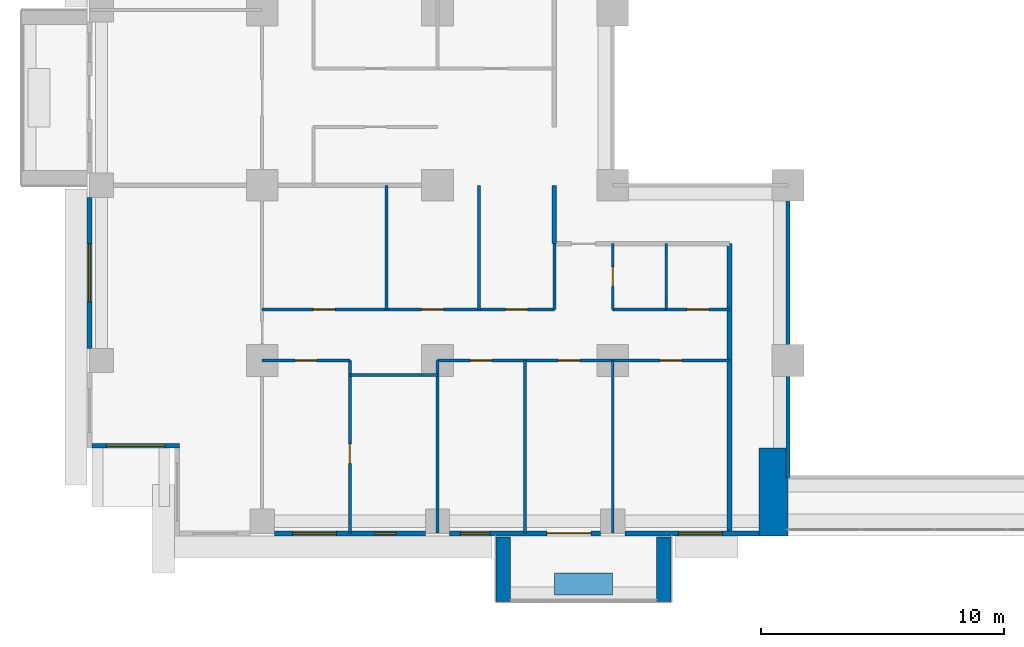
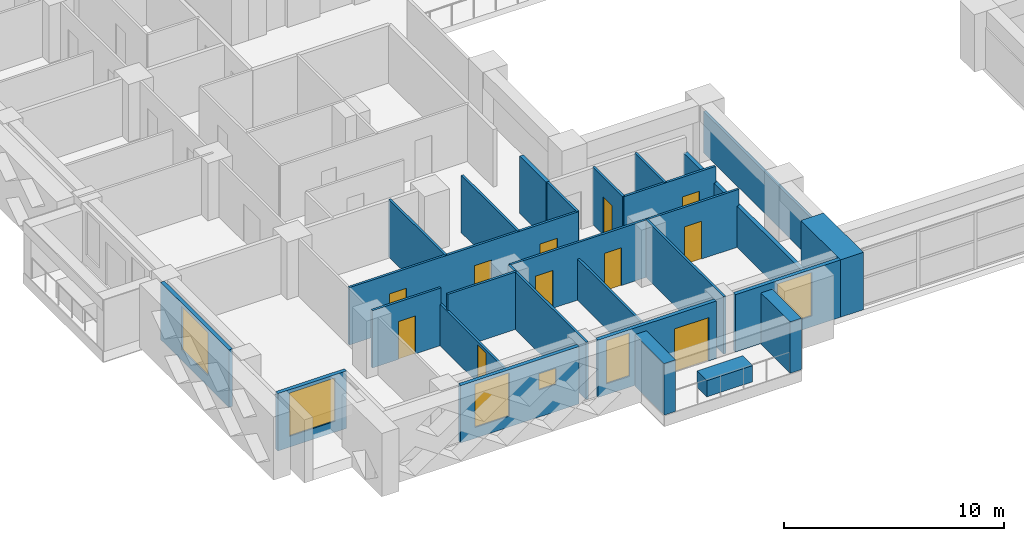
# One storey, part 6 of 17: 26 walls, 11 doors, 6 windows, 17 openings.
"""IFC4 building model written with IfcOpenShell, lengths in metres."""

from ifc_helpers import new_model, si_unit, direction, frame, frame_2d, origin, place, context, subcontext, project, spatial, rectangle, extrude, material, layer, layer_set, type_object, element, fill, save


model = new_model("IFC4")

# Units and contexts
model_context = context("Model", 3, precision=1e-05, world=origin(), true_north=direction((0.0, 1.0)))
body_context = subcontext(model_context, "Body", "Model", "MODEL_VIEW")
ifc_project = project(units=[si_unit("LENGTHUNIT", "METRE"), si_unit("AREAUNIT", "SQUARE_METRE"), si_unit("VOLUMEUNIT", "CUBIC_METRE"), si_unit("PLANEANGLEUNIT", "RADIAN"), si_unit("MASSUNIT", "GRAM", prefix="KILO")], contexts=[model_context])

# Site, building, storey
site_placement = place(None, origin())
site = spatial("IfcSite", under=ifc_project, at=site_placement, CompositionType="ELEMENT")
building_placement = place(site_placement, origin())
building = spatial("IfcBuilding", under=site, at=building_placement, Name="Saffron Iwan Residences", CompositionType="ELEMENT")
storey_placement = place(building_placement, frame((0.0, 0.0, 79.5)))
storey = spatial("IfcBuildingStorey", under=building, at=storey_placement, Name="L20", CompositionType="ELEMENT", Elevation=79.5)

# Walls
ifc_material_1 = material(Name="Fire-rated glazing", Category="glass")
ifc_layer_1 = layer(ifc_material_1, 0.14990234375)
ifc_layer_set_1 = layer_set([ifc_layer_1], Name="Fire-rated glazing")
wall_type_1 = type_object("IfcWallType", Name="Atrium glazed screen 150", PredefinedType="SOLIDWALL", material=ifc_layer_set_1)
wall_1_placement = place(storey_placement, frame((43.199951171875, 36.0, 0.0), z_axis=(0.0, 0.0, 1.0), x_axis=(0.0, 1.0, 0.0)))
element("IfcWall", 1, at=wall_1_placement, inside=storey, type_object=wall_type_1, Name="W-L20-SCREEN-v43.2-36", PredefinedType="SOLIDWALL", context=body_context, shape_type="SweptSolid", body=[
    extrude(rectangle(XDim=12.0, YDim=0.14990234375, at=frame_2d((6.0, 0.0))), origin(), (0.0, 0.0, 1.0), 2.280029296875),
])
ifc_material_2 = material(Name="Concrete C50/60 white painted", Category="concrete")
ifc_layer_2 = layer(ifc_material_2, 0.60009765625)
ifc_layer_set_2 = layer_set([ifc_layer_2], Name="Concrete C50/60 white painted")
wall_type_2 = type_object("IfcWallType", Name="BALCONY FIN 600", PredefinedType="SOLIDWALL", material=ifc_layer_set_2)
for number, where, z_axis, x_axis, name in (
    (2, (31.5, 33.550048828125, 0.0), (0.0, 0.0, 1.0), (0.0, -1.0, 0.0), "Balcony fin L20 11-0a"),
    (3, (38.10009765625, 33.550048828125, 0.0), (0.0, 0.0, 1.0), (0.0, -1.0, 0.0), "Balcony fin L20 11-0b"),
):
    element("IfcWall", number, at=place(storey_placement, frame(where, z_axis=z_axis, x_axis=x_axis)), inside=storey, type_object=wall_type_2, Name=name, PredefinedType="SOLIDWALL", context=body_context, shape_type="SweptSolid", body=[
        extrude(rectangle(XDim=2.650146484375, YDim=0.60009765625, at=frame_2d((1.3251953125, 0.0))), origin(), (0.0, 0.0, 1.0), 2.85009765625),
    ])
ifc_material_3 = material(Name="Concrete C35/45 white painted", Category="concrete")
ifc_layer_3 = layer(ifc_material_3, 0.14990234375)
ifc_layer_set_3 = layer_set([ifc_layer_3], Name="Concrete C35/45 white painted")
wall_type_3 = type_object("IfcWallType", Name="BALCONY PLANTER", PredefinedType="SOLIDWALL", material=ifc_layer_set_3)
wall_2_placement = place(storey_placement, frame((33.60009765625, 31.625, 0.0), z_axis=(0.0, 0.0, 1.0), x_axis=(1.0, 0.0, 0.0)))
element("IfcWall", 4, at=wall_2_placement, inside=storey, type_object=wall_type_3, Name="PLANTER L20 11-0", PredefinedType="SOLIDWALL", context=body_context, shape_type="SweptSolid", body=[
    extrude(rectangle(XDim=2.39990234375, YDim=0.89990234375, at=frame_2d((1.199951171875, 0.0))), origin(), (0.0, 0.0, 1.0), 0.89990234375),
])

# Wall, opening, window
ifc_material_4 = material(Name="Concrete C40/50", Category="concrete")
ifc_layer_4 = layer(ifc_material_4, 0.199951171875)
ifc_layer_set_4 = layer_set([ifc_layer_4], Name="Concrete C40/50")
wall_type_4 = type_object("IfcWallType", Name="EXTERNAL WALL 200", PredefinedType="SOLIDWALL", material=ifc_layer_set_4)
wall_3_placement = place(storey_placement, frame((14.5, 47.5, 0.0), z_axis=(0.0, 0.0, 1.0), x_axis=(0.0, -1.0, 0.0)))
wall_3 = element("IfcWall", 5, at=wall_3_placement, inside=storey, type_object=wall_type_4, Name="External wall L20 F8.4", PredefinedType="SOLIDWALL", context=body_context, shape_type="SweptSolid", body=[
    extrude(rectangle(XDim=6.199951171875, YDim=0.199951171875, at=frame_2d((3.10009765625, 0.0))), origin(), (0.0, 0.0, 1.0), 3.179931640625),
])
opening_1_placement = place(wall_3_placement, frame((1.89990234375, 0.0, 0.60009765625)))
opening_1 = element("IfcOpeningElement", 6, at=opening_1_placement, cuts=wall_3, Name="Opening W1", PredefinedType="OPENING", context=body_context, shape_type="SweptSolid", body=[
    extrude(rectangle(XDim=2.39990234375, YDim=2.39990234375, at=frame_2d((1.199951171875, 1.199951171875))), frame((0.0, 0.10986328125, 0.0), z_axis=(0.0, -1.0, 0.0), x_axis=(1.0, 0.0, 0.0)), (0.0, 0.0, 1.0), 0.219970703125),
])
ifc_material_5 = material(Name="Clear glass, laminated double glazed", Category="glass")
window_type_1 = type_object("IfcWindowType", Name="WINDOW 2400 x 2400", PartitioningType="DOUBLE_PANEL_VERTICAL", PredefinedType="WINDOW", material=ifc_material_5)
window_1_placement = place(opening_1_placement, origin())
window_1 = element("IfcWindow", 7, at=window_1_placement, inside=storey, type_object=window_type_1, Name="Window L20 F8.0", OverallHeight=2.39990234375, OverallWidth=2.39990234375, PartitioningType="DOUBLE_PANEL_VERTICAL", PredefinedType="WINDOW", context=body_context, shape_type="SweptSolid", body=[
    extrude(rectangle(XDim=2.39990234375, YDim=2.39990234375, at=frame_2d((1.199951171875, 1.199951171875))), frame((0.0, 0.030029296875, 0.0), z_axis=(0.0, -1.0, 0.0), x_axis=(1.0, 0.0, 0.0)), (0.0, 0.0, 1.0), 0.06005859375),
])
fill(opening_1, window_1)

wall_4_placement = place(storey_placement, frame((14.60009765625, 37.300048828125, 0.0), z_axis=(0.0, 0.0, 1.0), x_axis=(1.0, 0.0, 0.0)))
wall_4 = element("IfcWall", 8, at=wall_4_placement, inside=storey, type_object=wall_type_4, Name="External wall L20 F9.0", PredefinedType="SOLIDWALL", context=body_context, shape_type="SweptSolid", body=[
    extrude(rectangle(XDim=3.599853515625, YDim=0.199951171875, at=frame_2d((1.7998046875, 0.0))), origin(), (0.0, 0.0, 1.0), 3.179931640625),
])
opening_2_placement = place(wall_4_placement, frame((0.60009765625, 0.0, 0.60009765625)))
opening_2 = element("IfcOpeningElement", 9, at=opening_2_placement, cuts=wall_4, Name="Opening W1", PredefinedType="OPENING", context=body_context, shape_type="SweptSolid", body=[
    extrude(rectangle(XDim=2.39990234375, YDim=2.39990234375, at=frame_2d((1.199951171875, 1.199951171875))), frame((0.0, 0.10986328125, 0.0), z_axis=(0.0, -1.0, 0.0), x_axis=(1.0, 0.0, 0.0)), (0.0, 0.0, 1.0), 0.219970703125),
])
window_2_placement = place(opening_2_placement, origin())
window_2 = element("IfcWindow", 10, at=window_2_placement, inside=storey, type_object=window_type_1, Name="Window L20 F9.0", OverallHeight=2.39990234375, OverallWidth=2.39990234375, PartitioningType="DOUBLE_PANEL_VERTICAL", PredefinedType="WINDOW", context=body_context, shape_type="SweptSolid", body=[
    extrude(rectangle(XDim=2.39990234375, YDim=2.39990234375, at=frame_2d((1.199951171875, 1.199951171875))), frame((0.0, 0.030029296875, 0.0), z_axis=(0.0, -1.0, 0.0), x_axis=(1.0, 0.0, 0.0)), (0.0, 0.0, 1.0), 0.06005859375),
])
fill(opening_2, window_2)

# Wall, openings, windows
wall_5_placement = place(storey_placement, frame((22.10009765625, 33.699951171875, 0.0), z_axis=(0.0, 0.0, 1.0), x_axis=(1.0, 0.0, 0.0)))
wall_5 = element("IfcWall", 11, at=wall_5_placement, inside=storey, type_object=wall_type_4, Name="External wall L20 F11.1", PredefinedType="SOLIDWALL", context=body_context, shape_type="SweptSolid", body=[
    extrude(rectangle(XDim=6.199951171875, YDim=0.199951171875, at=frame_2d((3.10009765625, 0.0))), origin(), (0.0, 0.0, 1.0), 3.179931640625),
])
opening_3_placement = place(wall_5_placement, frame((0.75, 0.0, 0.60009765625)))
opening_3 = element("IfcOpeningElement", 12, at=opening_3_placement, cuts=wall_5, Name="Opening W8", PredefinedType="OPENING", context=body_context, shape_type="SweptSolid", body=[
    extrude(rectangle(XDim=1.800048828125, YDim=2.39990234375, at=frame_2d((0.89990234375, 1.199951171875))), frame((0.0, 0.10986328125, 0.0), z_axis=(0.0, -1.0, 0.0), x_axis=(1.0, 0.0, 0.0)), (0.0, 0.0, 1.0), 0.219970703125),
])
opening_4_placement = place(wall_5_placement, frame((4.10009765625, 0.0, 1.5)))
opening_4 = element("IfcOpeningElement", 13, at=opening_4_placement, cuts=wall_5, Name="Opening W6", PredefinedType="OPENING", context=body_context, shape_type="SweptSolid", body=[
    extrude(rectangle(XDim=0.89990234375, YDim=0.89990234375, at=frame_2d((0.449951171875, 0.449951171875))), frame((0.0, 0.10986328125, 0.0), z_axis=(0.0, -1.0, 0.0), x_axis=(1.0, 0.0, 0.0)), (0.0, 0.0, 1.0), 0.219970703125),
])
window_type_2 = type_object("IfcWindowType", Name="WINDOW 1800 x 2400", PartitioningType="DOUBLE_PANEL_VERTICAL", PredefinedType="WINDOW", material=ifc_material_5)
window_3_placement = place(opening_3_placement, origin())
window_3 = element("IfcWindow", 14, at=window_3_placement, inside=storey, type_object=window_type_2, Name="Window L20 F11.0", OverallHeight=2.39990234375, OverallWidth=1.800048828125, PartitioningType="DOUBLE_PANEL_VERTICAL", PredefinedType="WINDOW", context=body_context, shape_type="SweptSolid", body=[
    extrude(rectangle(XDim=1.800048828125, YDim=2.39990234375, at=frame_2d((0.89990234375, 1.199951171875))), frame((0.0, 0.030029296875, 0.0), z_axis=(0.0, -1.0, 0.0), x_axis=(1.0, 0.0, 0.0)), (0.0, 0.0, 1.0), 0.06005859375),
])
fill(opening_3, window_3)
window_type_3 = type_object("IfcWindowType", Name="WINDOW 900 x 900 BATH", PartitioningType="SINGLE_PANEL", PredefinedType="WINDOW", material=ifc_material_5)
window_4_placement = place(opening_4_placement, origin())
window_4 = element("IfcWindow", 15, at=window_4_placement, inside=storey, type_object=window_type_3, Name="Window L20 F11.1", OverallHeight=0.89990234375, OverallWidth=0.89990234375, PartitioningType="SINGLE_PANEL", PredefinedType="WINDOW", context=body_context, shape_type="SweptSolid", body=[
    extrude(rectangle(XDim=0.89990234375, YDim=0.89990234375, at=frame_2d((0.449951171875, 0.449951171875))), frame((0.0, 0.030029296875, 0.0), z_axis=(0.0, -1.0, 0.0), x_axis=(1.0, 0.0, 0.0)), (0.0, 0.0, 1.0), 0.06005859375),
])
fill(opening_4, window_4)

# Wall, openings, door, window
wall_6_placement = place(storey_placement, frame((29.300048828125, 33.699951171875, 0.0), z_axis=(0.0, 0.0, 1.0), x_axis=(1.0, 0.0, 0.0)))
wall_6 = element("IfcWall", 16, at=wall_6_placement, inside=storey, type_object=wall_type_4, Name="External wall L20 F11.2", PredefinedType="SOLIDWALL", context=body_context, shape_type="SweptSolid", body=[
    extrude(rectangle(XDim=6.199951171875, YDim=0.199951171875, at=frame_2d((3.10009765625, 0.0))), origin(), (0.0, 0.0, 1.0), 3.179931640625),
])
opening_5_placement = place(wall_6_placement, frame((4.0, 0.0, 0.0)))
opening_5 = element("IfcOpeningElement", 17, at=opening_5_placement, cuts=wall_6, Name="Opening BD1", PredefinedType="OPENING", context=body_context, shape_type="SweptSolid", body=[
    extrude(rectangle(XDim=1.800048828125, YDim=2.39990234375, at=frame_2d((0.89990234375, 1.199951171875))), frame((0.0, 0.10986328125, 0.0), z_axis=(0.0, -1.0, 0.0), x_axis=(1.0, 0.0, 0.0)), (0.0, 0.0, 1.0), 0.219970703125),
])
opening_6_placement = place(wall_6_placement, frame((0.449951171875, 0.0, 0.60009765625)))
opening_6 = element("IfcOpeningElement", 18, at=opening_6_placement, cuts=wall_6, Name="Opening W3", PredefinedType="OPENING", context=body_context, shape_type="SweptSolid", body=[
    extrude(rectangle(XDim=1.199951171875, YDim=2.39990234375, at=frame_2d((0.60009765625, 1.199951171875))), frame((0.0, 0.10986328125, 0.0), z_axis=(0.0, -1.0, 0.0), x_axis=(1.0, 0.0, 0.0)), (0.0, 0.0, 1.0), 0.219970703125),
])
door_type_1 = type_object("IfcDoorType", Name="BALCONY DOOR 1800 x 2400", OperationType="DOUBLE_DOOR_SLIDING", PredefinedType="DOOR", material=ifc_material_5)
door_1_placement = place(opening_5_placement, origin())
door_1 = element("IfcDoor", 19, at=door_1_placement, inside=storey, type_object=door_type_1, Name="Balcony door L20 F11.0", OperationType="DOUBLE_DOOR_SLIDING", OverallHeight=2.39990234375, OverallWidth=1.800048828125, PredefinedType="DOOR", context=body_context, shape_type="SweptSolid", body=[
    extrude(rectangle(XDim=1.800048828125, YDim=2.39990234375, at=frame_2d((0.89990234375, 1.199951171875))), frame((0.0, 0.02490234375, 0.0), z_axis=(0.0, -1.0, 0.0), x_axis=(1.0, 0.0, 0.0)), (0.0, 0.0, 1.0), 0.050048828125),
])
fill(opening_5, door_1)
window_type_4 = type_object("IfcWindowType", Name="WINDOW 1200 x 2400", PartitioningType="SINGLE_PANEL", PredefinedType="WINDOW", material=ifc_material_5)
window_5_placement = place(opening_6_placement, origin())
window_5 = element("IfcWindow", 20, at=window_5_placement, inside=storey, type_object=window_type_4, Name="Window L20 F11.1", OverallHeight=2.39990234375, OverallWidth=1.199951171875, PartitioningType="SINGLE_PANEL", PredefinedType="WINDOW", context=body_context, shape_type="SweptSolid", body=[
    extrude(rectangle(XDim=1.199951171875, YDim=2.39990234375, at=frame_2d((0.60009765625, 1.199951171875))), frame((0.0, 0.030029296875, 0.0), z_axis=(0.0, -1.0, 0.0), x_axis=(1.0, 0.0, 0.0)), (0.0, 0.0, 1.0), 0.06005859375),
])
fill(opening_6, window_5)

# Wall, opening, window
wall_7_placement = place(storey_placement, frame((36.5, 33.699951171875, 0.0), z_axis=(0.0, 0.0, 1.0), x_axis=(1.0, 0.0, 0.0)))
wall_7 = element("IfcWall", 21, at=wall_7_placement, inside=storey, type_object=wall_type_4, Name="External wall L20 F11.3", PredefinedType="SOLIDWALL", context=body_context, shape_type="SweptSolid", body=[
    extrude(rectangle(XDim=5.5, YDim=0.199951171875, at=frame_2d((2.75, 0.0))), origin(), (0.0, 0.0, 1.0), 3.179931640625),
])
opening_7_placement = place(wall_7_placement, frame((2.199951171875, 0.0, 0.60009765625)))
opening_7 = element("IfcOpeningElement", 22, at=opening_7_placement, cuts=wall_7, Name="Opening W8", PredefinedType="OPENING", context=body_context, shape_type="SweptSolid", body=[
    extrude(rectangle(XDim=1.800048828125, YDim=2.39990234375, at=frame_2d((0.89990234375, 1.199951171875))), frame((0.0, 0.10986328125, 0.0), z_axis=(0.0, -1.0, 0.0), x_axis=(1.0, 0.0, 0.0)), (0.0, 0.0, 1.0), 0.219970703125),
])
window_6_placement = place(opening_7_placement, origin())
window_6 = element("IfcWindow", 23, at=window_6_placement, inside=storey, type_object=window_type_2, Name="Window L20 F11.0", OverallHeight=2.39990234375, OverallWidth=1.800048828125, PartitioningType="DOUBLE_PANEL_VERTICAL", PredefinedType="WINDOW", context=body_context, shape_type="SweptSolid", body=[
    extrude(rectangle(XDim=1.800048828125, YDim=2.39990234375, at=frame_2d((0.89990234375, 1.199951171875))), frame((0.0, 0.030029296875, 0.0), z_axis=(0.0, -1.0, 0.0), x_axis=(1.0, 0.0, 0.0)), (0.0, 0.0, 1.0), 0.06005859375),
])
fill(opening_7, window_6)

# Wall
ifc_material_6 = material(Name="Gypsum board partition")
ifc_layer_5 = layer(ifc_material_6, 0.1201171875)
ifc_layer_set_5 = layer_set([ifc_layer_5], Name="Gypsum board partition")
wall_type_5 = type_object("IfcWallType", Name="Flat partition 120", PredefinedType="PARTITIONING", material=ifc_layer_set_5)
wall_8_placement = place(storey_placement, frame((25.199951171875, 40.199951171875, 0.0), z_axis=(0.0, 0.0, 1.0), x_axis=(1.0, 0.0, 0.0)))
element("IfcWall", 24, at=wall_8_placement, inside=storey, type_object=wall_type_5, Name="W-L20-PART-h40.2-25.2", PredefinedType="PARTITIONING", context=body_context, shape_type="SweptSolid", body=[
    extrude(rectangle(XDim=3.60009765625, YDim=0.1201171875, at=frame_2d((1.800048828125, 0.0))), origin(), (0.0, 0.0, 1.0), 3.179931640625),
])

# Wall, opening, door
wall_9_placement = place(storey_placement, frame((21.60009765625, 40.800048828125, 0.0), z_axis=(0.0, 0.0, 1.0), x_axis=(1.0, 0.0, 0.0)))
wall_9 = element("IfcWall", 25, at=wall_9_placement, inside=storey, type_object=wall_type_5, Name="W-L20-PART-h40.8-21.6", PredefinedType="PARTITIONING", context=body_context, shape_type="SweptSolid", body=[
    extrude(rectangle(XDim=3.599853515625, YDim=0.1201171875, at=frame_2d((1.7998046875, 0.0))), origin(), (0.0, 0.0, 1.0), 3.179931640625),
])
opening_8_placement = place(wall_9_placement, frame((1.35009765625, 0.0, 0.0)))
opening_8 = element("IfcOpeningElement", 26, at=opening_8_placement, cuts=wall_9, Name="Opening FD2", PredefinedType="OPENING", context=body_context, shape_type="SweptSolid", body=[
    extrude(rectangle(XDim=0.89990234375, YDim=2.10009765625, at=frame_2d((0.449951171875, 1.050048828125))), frame((0.0, 0.070068359375, 0.0), z_axis=(0.0, -1.0, 0.0), x_axis=(1.0, 0.0, 0.0)), (0.0, 0.0, 1.0), 0.14013671875),
])
ifc_material_7 = material(Name="Timber door", Category="wood")
door_type_2 = type_object("IfcDoorType", Name="Flat door 900", OperationType="NOTDEFINED", PredefinedType="DOOR", material=ifc_material_7)
door_2_placement = place(opening_8_placement, origin())
door_2 = element("IfcDoor", 27, at=door_2_placement, inside=storey, type_object=door_type_2, Name="Door L20-003", OperationType="SINGLE_SWING_LEFT", OverallHeight=2.10009765625, OverallWidth=0.89990234375, PredefinedType="DOOR", context=body_context, shape_type="SweptSolid", body=[
    extrude(rectangle(XDim=0.89990234375, YDim=2.10009765625, at=frame_2d((0.449951171875, 1.050048828125))), frame((0.0, 0.02490234375, 0.0), z_axis=(0.0, -1.0, 0.0), x_axis=(1.0, 0.0, 0.0)), (0.0, 0.0, 1.0), 0.050048828125),
])
fill(opening_8, door_2)

# Wall, openings, doors
wall_10_placement = place(storey_placement, frame((28.800048828125, 40.800048828125, 0.0), z_axis=(0.0, 0.0, 1.0), x_axis=(1.0, 0.0, 0.0)))
wall_10 = element("IfcWall", 28, at=wall_10_placement, inside=storey, type_object=wall_type_5, Name="W-L20-PART-h40.8-28.8", PredefinedType="PARTITIONING", context=body_context, shape_type="SweptSolid", body=[
    extrude(rectangle(XDim=12.0, YDim=0.1201171875, at=frame_2d((6.0, 0.0))), origin(), (0.0, 0.0, 1.0), 3.179931640625),
])
opening_9_placement = place(wall_10_placement, frame((1.35009765625, 0.0, 0.0)))
opening_9 = element("IfcOpeningElement", 29, at=opening_9_placement, cuts=wall_10, Name="Opening FD2", PredefinedType="OPENING", context=body_context, shape_type="SweptSolid", body=[
    extrude(rectangle(XDim=0.89990234375, YDim=2.10009765625, at=frame_2d((0.449951171875, 1.050048828125))), frame((0.0, 0.070068359375, 0.0), z_axis=(0.0, -1.0, 0.0), x_axis=(1.0, 0.0, 0.0)), (0.0, 0.0, 1.0), 0.14013671875),
])
opening_10_placement = place(wall_10_placement, frame((4.949951171875, 0.0, 0.0)))
opening_10 = element("IfcOpeningElement", 30, at=opening_10_placement, cuts=wall_10, Name="Opening FD2", PredefinedType="OPENING", context=body_context, shape_type="SweptSolid", body=[
    extrude(rectangle(XDim=0.89990234375, YDim=2.10009765625, at=frame_2d((0.449951171875, 1.050048828125))), frame((0.0, 0.070068359375, 0.0), z_axis=(0.0, -1.0, 0.0), x_axis=(1.0, 0.0, 0.0)), (0.0, 0.0, 1.0), 0.14013671875),
])
opening_11_placement = place(wall_10_placement, frame((9.14990234375, 0.0, 0.0)))
opening_11 = element("IfcOpeningElement", 31, at=opening_11_placement, cuts=wall_10, Name="Opening FD2", PredefinedType="OPENING", context=body_context, shape_type="SweptSolid", body=[
    extrude(rectangle(XDim=0.89990234375, YDim=2.10009765625, at=frame_2d((0.449951171875, 1.050048828125))), frame((0.0, 0.070068359375, 0.0), z_axis=(0.0, -1.0, 0.0), x_axis=(1.0, 0.0, 0.0)), (0.0, 0.0, 1.0), 0.14013671875),
])
door_3_placement = place(opening_9_placement, origin())
door_3 = element("IfcDoor", 32, at=door_3_placement, inside=storey, type_object=door_type_2, Name="Door L20-005", OperationType="SINGLE_SWING_RIGHT", OverallHeight=2.10009765625, OverallWidth=0.89990234375, PredefinedType="DOOR", context=body_context, shape_type="SweptSolid", body=[
    extrude(rectangle(XDim=0.89990234375, YDim=2.10009765625, at=frame_2d((0.449951171875, 1.050048828125))), frame((0.0, 0.02490234375, 0.0), z_axis=(0.0, -1.0, 0.0), x_axis=(1.0, 0.0, 0.0)), (0.0, 0.0, 1.0), 0.050048828125),
])
fill(opening_9, door_3)
door_4_placement = place(opening_10_placement, origin())
door_4 = element("IfcDoor", 33, at=door_4_placement, inside=storey, type_object=door_type_2, Name="Door L20-006", OperationType="SINGLE_SWING_LEFT", OverallHeight=2.10009765625, OverallWidth=0.89990234375, PredefinedType="DOOR", context=body_context, shape_type="SweptSolid", body=[
    extrude(rectangle(XDim=0.89990234375, YDim=2.10009765625, at=frame_2d((0.449951171875, 1.050048828125))), frame((0.0, 0.02490234375, 0.0), z_axis=(0.0, -1.0, 0.0), x_axis=(1.0, 0.0, 0.0)), (0.0, 0.0, 1.0), 0.050048828125),
])
fill(opening_10, door_4)
door_5_placement = place(opening_11_placement, origin())
door_5 = element("IfcDoor", 34, at=door_5_placement, inside=storey, type_object=door_type_2, Name="Door L20-007", OperationType="SINGLE_SWING_LEFT", OverallHeight=2.10009765625, OverallWidth=0.89990234375, PredefinedType="DOOR", context=body_context, shape_type="SweptSolid", body=[
    extrude(rectangle(XDim=0.89990234375, YDim=2.10009765625, at=frame_2d((0.449951171875, 1.050048828125))), frame((0.0, 0.02490234375, 0.0), z_axis=(0.0, -1.0, 0.0), x_axis=(1.0, 0.0, 0.0)), (0.0, 0.0, 1.0), 0.050048828125),
])
fill(opening_11, door_5)

wall_11_placement = place(storey_placement, frame((21.60009765625, 42.89990234375, 0.0), z_axis=(0.0, 0.0, 1.0), x_axis=(1.0, 0.0, 0.0)))
wall_11 = element("IfcWall", 35, at=wall_11_placement, inside=storey, type_object=wall_type_5, Name="W-L20-PART-h42.9-21.6", PredefinedType="PARTITIONING", context=body_context, shape_type="SweptSolid", body=[
    extrude(rectangle(XDim=12.0, YDim=0.1201171875, at=frame_2d((6.0, 0.0))), origin(), (0.0, 0.0, 1.0), 3.179931640625),
])
opening_12_placement = place(wall_11_placement, frame((2.10009765625, 0.0, 0.0)))
opening_12 = element("IfcOpeningElement", 36, at=opening_12_placement, cuts=wall_11, Name="Opening FD2", PredefinedType="OPENING", context=body_context, shape_type="SweptSolid", body=[
    extrude(rectangle(XDim=0.89990234375, YDim=2.10009765625, at=frame_2d((0.449951171875, 1.050048828125))), frame((0.0, 0.070068359375, 0.0), z_axis=(0.0, -1.0, 0.0), x_axis=(1.0, 0.0, 0.0)), (0.0, 0.0, 1.0), 0.14013671875),
])
opening_13_placement = place(wall_11_placement, frame((6.550048828125, 0.0, 0.0)))
opening_13 = element("IfcOpeningElement", 37, at=opening_13_placement, cuts=wall_11, Name="Opening FD2", PredefinedType="OPENING", context=body_context, shape_type="SweptSolid", body=[
    extrude(rectangle(XDim=0.89990234375, YDim=2.10009765625, at=frame_2d((0.449951171875, 1.050048828125))), frame((0.0, 0.070068359375, 0.0), z_axis=(0.0, -1.0, 0.0), x_axis=(1.0, 0.0, 0.0)), (0.0, 0.0, 1.0), 0.14013671875),
])
opening_14_placement = place(wall_11_placement, frame((10.0, 0.0, 0.0)))
opening_14 = element("IfcOpeningElement", 38, at=opening_14_placement, cuts=wall_11, Name="Opening FD2", PredefinedType="OPENING", context=body_context, shape_type="SweptSolid", body=[
    extrude(rectangle(XDim=0.89990234375, YDim=2.10009765625, at=frame_2d((0.449951171875, 1.050048828125))), frame((0.0, 0.070068359375, 0.0), z_axis=(0.0, -1.0, 0.0), x_axis=(1.0, 0.0, 0.0)), (0.0, 0.0, 1.0), 0.14013671875),
])
door_6_placement = place(opening_12_placement, origin())
door_6 = element("IfcDoor", 39, at=door_6_placement, inside=storey, type_object=door_type_2, Name="Door L20-008", OperationType="SINGLE_SWING_RIGHT", OverallHeight=2.10009765625, OverallWidth=0.89990234375, PredefinedType="DOOR", context=body_context, shape_type="SweptSolid", body=[
    extrude(rectangle(XDim=0.89990234375, YDim=2.10009765625, at=frame_2d((0.449951171875, 1.050048828125))), frame((0.0, 0.02490234375, 0.0), z_axis=(0.0, -1.0, 0.0), x_axis=(1.0, 0.0, 0.0)), (0.0, 0.0, 1.0), 0.050048828125),
])
fill(opening_12, door_6)
door_7_placement = place(opening_13_placement, origin())
door_7 = element("IfcDoor", 40, at=door_7_placement, inside=storey, type_object=door_type_2, Name="Door L20-009", OperationType="SINGLE_SWING_LEFT", OverallHeight=2.10009765625, OverallWidth=0.89990234375, PredefinedType="DOOR", context=body_context, shape_type="SweptSolid", body=[
    extrude(rectangle(XDim=0.89990234375, YDim=2.10009765625, at=frame_2d((0.449951171875, 1.050048828125))), frame((0.0, 0.02490234375, 0.0), z_axis=(0.0, -1.0, 0.0), x_axis=(1.0, 0.0, 0.0)), (0.0, 0.0, 1.0), 0.050048828125),
])
fill(opening_13, door_7)
door_8_placement = place(opening_14_placement, origin())
door_8 = element("IfcDoor", 41, at=door_8_placement, inside=storey, type_object=door_type_2, Name="Door L20-010", OperationType="SINGLE_SWING_LEFT", OverallHeight=2.10009765625, OverallWidth=0.89990234375, PredefinedType="DOOR", context=body_context, shape_type="SweptSolid", body=[
    extrude(rectangle(XDim=0.89990234375, YDim=2.10009765625, at=frame_2d((0.449951171875, 1.050048828125))), frame((0.0, 0.02490234375, 0.0), z_axis=(0.0, -1.0, 0.0), x_axis=(1.0, 0.0, 0.0)), (0.0, 0.0, 1.0), 0.050048828125),
])
fill(opening_14, door_8)

# Wall, opening, door
wall_12_placement = place(storey_placement, frame((36.0, 42.89990234375, 0.0), z_axis=(0.0, 0.0, 1.0), x_axis=(1.0, 0.0, 0.0)))
wall_12 = element("IfcWall", 42, at=wall_12_placement, inside=storey, type_object=wall_type_5, Name="W-L20-PART-h42.9-36", PredefinedType="PARTITIONING", context=body_context, shape_type="SweptSolid", body=[
    extrude(rectangle(XDim=4.800048828125, YDim=0.1201171875, at=frame_2d((2.39990234375, 0.0))), origin(), (0.0, 0.0, 1.0), 3.179931640625),
])
opening_15_placement = place(wall_12_placement, frame((3.050048828125, 0.0, 0.0)))
opening_15 = element("IfcOpeningElement", 43, at=opening_15_placement, cuts=wall_12, Name="Opening FD2", PredefinedType="OPENING", context=body_context, shape_type="SweptSolid", body=[
    extrude(rectangle(XDim=0.89990234375, YDim=2.10009765625, at=frame_2d((0.449951171875, 1.050048828125))), frame((0.0, 0.070068359375, 0.0), z_axis=(0.0, -1.0, 0.0), x_axis=(1.0, 0.0, 0.0)), (0.0, 0.0, 1.0), 0.14013671875),
])
door_9_placement = place(opening_15_placement, origin())
door_9 = element("IfcDoor", 44, at=door_9_placement, inside=storey, type_object=door_type_2, Name="Door L20-012", OperationType="SINGLE_SWING_LEFT", OverallHeight=2.10009765625, OverallWidth=0.89990234375, PredefinedType="DOOR", context=body_context, shape_type="SweptSolid", body=[
    extrude(rectangle(XDim=0.89990234375, YDim=2.10009765625, at=frame_2d((0.449951171875, 1.050048828125))), frame((0.0, 0.02490234375, 0.0), z_axis=(0.0, -1.0, 0.0), x_axis=(1.0, 0.0, 0.0)), (0.0, 0.0, 1.0), 0.050048828125),
])
fill(opening_15, door_9)

wall_13_placement = place(storey_placement, frame((25.199951171875, 33.72509765625, 0.0), z_axis=(0.0, 0.0, 1.0), x_axis=(0.0, 1.0, 0.0)))
wall_13 = element("IfcWall", 45, at=wall_13_placement, inside=storey, type_object=wall_type_5, Name="W-L20-PART-v25.2-33.725", PredefinedType="PARTITIONING", context=body_context, shape_type="SweptSolid", body=[
    extrude(rectangle(XDim=7.074951171875, YDim=0.1201171875, at=frame_2d((3.53759765625, 0.0))), origin(), (0.0, 0.0, 1.0), 2.280029296875),
])
opening_16_placement = place(wall_13_placement, frame((2.83740234375, 0.0, 0.0)))
opening_16 = element("IfcOpeningElement", 46, at=opening_16_placement, cuts=wall_13, Name="Opening FD3", PredefinedType="OPENING", context=body_context, shape_type="SweptSolid", body=[
    extrude(rectangle(XDim=0.800048828125, YDim=2.10009765625, at=frame_2d((0.39990234375, 1.050048828125))), frame((0.0, 0.070068359375, 0.0), z_axis=(0.0, -1.0, 0.0), x_axis=(1.0, 0.0, 0.0)), (0.0, 0.0, 1.0), 0.14013671875),
])
door_type_3 = type_object("IfcDoorType", Name="Bathroom door 800", OperationType="NOTDEFINED", PredefinedType="DOOR", material=ifc_material_7)
door_10_placement = place(opening_16_placement, origin())
door_10 = element("IfcDoor", 47, at=door_10_placement, inside=storey, type_object=door_type_3, Name="Door L20-004", OperationType="SINGLE_SWING_LEFT", OverallHeight=2.10009765625, OverallWidth=0.800048828125, PredefinedType="DOOR", context=body_context, shape_type="SweptSolid", body=[
    extrude(rectangle(XDim=0.800048828125, YDim=2.10009765625, at=frame_2d((0.39990234375, 1.050048828125))), frame((0.0, 0.02490234375, 0.0), z_axis=(0.0, -1.0, 0.0), x_axis=(1.0, 0.0, 0.0)), (0.0, 0.0, 1.0), 0.050048828125),
])
fill(opening_16, door_10)

# Walls
wall_14_placement = place(storey_placement, frame((26.699951171875, 42.89990234375, 0.0), z_axis=(0.0, 0.0, 1.0), x_axis=(0.0, 1.0, 0.0)))
element("IfcWall", 48, at=wall_14_placement, inside=storey, type_object=wall_type_5, Name="W-L20-PART-v26.7-42.9", PredefinedType="PARTITIONING", context=body_context, shape_type="SweptSolid", body=[
    extrude(rectangle(XDim=5.10009765625, YDim=0.1201171875, at=frame_2d((2.550048828125, 0.0))), origin(), (0.0, 0.0, 1.0), 3.179931640625),
])
wall_15_placement = place(storey_placement, frame((28.800048828125, 33.72509765625, 0.0), z_axis=(0.0, 0.0, 1.0), x_axis=(0.0, 1.0, 0.0)))
element("IfcWall", 49, at=wall_15_placement, inside=storey, type_object=wall_type_5, Name="W-L20-PART-v28.8-33.725", PredefinedType="PARTITIONING", context=body_context, shape_type="SweptSolid", body=[
    extrude(rectangle(XDim=7.074951171875, YDim=0.1201171875, at=frame_2d((3.53759765625, 0.0))), origin(), (0.0, 0.0, 1.0), 3.179931640625),
])
wall_16_placement = place(storey_placement, frame((30.5, 42.89990234375, 0.0), z_axis=(0.0, 0.0, 1.0), x_axis=(0.0, 1.0, 0.0)))
element("IfcWall", 50, at=wall_16_placement, inside=storey, type_object=wall_type_5, Name="W-L20-PART-v30.5-42.9", PredefinedType="PARTITIONING", context=body_context, shape_type="SweptSolid", body=[
    extrude(rectangle(XDim=5.10009765625, YDim=0.1201171875, at=frame_2d((2.550048828125, 0.0))), origin(), (0.0, 0.0, 1.0), 3.179931640625),
])
wall_17_placement = place(storey_placement, frame((32.39990234375, 33.72509765625, 0.0), z_axis=(0.0, 0.0, 1.0), x_axis=(0.0, 1.0, 0.0)))
element("IfcWall", 51, at=wall_17_placement, inside=storey, type_object=wall_type_5, Name="W-L20-PART-v32.4-33.725", PredefinedType="PARTITIONING", context=body_context, shape_type="SweptSolid", body=[
    extrude(rectangle(XDim=7.074951171875, YDim=0.1201171875, at=frame_2d((3.53759765625, 0.0))), origin(), (0.0, 0.0, 1.0), 2.280029296875),
])
wall_18_placement = place(storey_placement, frame((33.60009765625, 42.89990234375, 0.0), z_axis=(0.0, 0.0, 1.0), x_axis=(0.0, 1.0, 0.0)))
element("IfcWall", 52, at=wall_18_placement, inside=storey, type_object=wall_type_5, Name="W-L20-PART-v33.6-42.9", PredefinedType="PARTITIONING", context=body_context, shape_type="SweptSolid", body=[
    extrude(rectangle(XDim=2.7001953125, YDim=0.1201171875, at=frame_2d((1.35009765625, 0.0))), origin(), (0.0, 0.0, 1.0), 3.179931640625),
])
wall_19_placement = place(storey_placement, frame((36.0, 33.72509765625, 0.0), z_axis=(0.0, 0.0, 1.0), x_axis=(0.0, 1.0, 0.0)))
element("IfcWall", 53, at=wall_19_placement, inside=storey, type_object=wall_type_5, Name="W-L20-PART-v36-33.725", PredefinedType="PARTITIONING", context=body_context, shape_type="SweptSolid", body=[
    extrude(rectangle(XDim=7.074951171875, YDim=0.1201171875, at=frame_2d((3.53759765625, 0.0))), origin(), (0.0, 0.0, 1.0), 3.179931640625),
])

# Wall, opening, door
wall_20_placement = place(storey_placement, frame((36.0, 42.89990234375, 0.0), z_axis=(0.0, 0.0, 1.0), x_axis=(0.0, 1.0, 0.0)))
wall_20 = element("IfcWall", 54, at=wall_20_placement, inside=storey, type_object=wall_type_5, Name="W-L20-PART-v36-42.9", PredefinedType="PARTITIONING", context=body_context, shape_type="SweptSolid", body=[
    extrude(rectangle(XDim=2.7001953125, YDim=0.1201171875, at=frame_2d((1.35009765625, 0.0))), origin(), (0.0, 0.0, 1.0), 3.179931640625),
])
opening_17_placement = place(wall_20_placement, frame((0.949951171875, 0.0, 0.0)))
opening_17 = element("IfcOpeningElement", 55, at=opening_17_placement, cuts=wall_20, Name="Opening FD3", PredefinedType="OPENING", context=body_context, shape_type="SweptSolid", body=[
    extrude(rectangle(XDim=0.800048828125, YDim=2.10009765625, at=frame_2d((0.39990234375, 1.050048828125))), frame((0.0, 0.070068359375, 0.0), z_axis=(0.0, -1.0, 0.0), x_axis=(1.0, 0.0, 0.0)), (0.0, 0.0, 1.0), 0.14013671875),
])
door_11_placement = place(opening_17_placement, origin())
door_11 = element("IfcDoor", 56, at=door_11_placement, inside=storey, type_object=door_type_3, Name="Door L20-011", OperationType="SINGLE_SWING_RIGHT", OverallHeight=2.10009765625, OverallWidth=0.800048828125, PredefinedType="DOOR", context=body_context, shape_type="SweptSolid", body=[
    extrude(rectangle(XDim=0.800048828125, YDim=2.10009765625, at=frame_2d((0.39990234375, 1.050048828125))), frame((0.0, 0.02490234375, 0.0), z_axis=(0.0, -1.0, 0.0), x_axis=(1.0, 0.0, 0.0)), (0.0, 0.0, 1.0), 0.050048828125),
])
fill(opening_17, door_11)

# Walls
wall_21_placement = place(storey_placement, frame((38.199951171875, 42.89990234375, 0.0), z_axis=(0.0, 0.0, 1.0), x_axis=(0.0, 1.0, 0.0)))
element("IfcWall", 57, at=wall_21_placement, inside=storey, type_object=wall_type_5, Name="W-L20-PART-v38.2-42.9", PredefinedType="PARTITIONING", context=body_context, shape_type="SweptSolid", body=[
    extrude(rectangle(XDim=2.7001953125, YDim=0.1201171875, at=frame_2d((1.35009765625, 0.0))), origin(), (0.0, 0.0, 1.0), 3.179931640625),
])
ifc_material_8 = material(Name="Fire-rated gypsum board wall")
ifc_layer_6 = layer(ifc_material_8, 0.199951171875)
ifc_layer_set_6 = layer_set([ifc_layer_6], Name="Fire-rated gypsum board wall")
wall_type_6 = type_object("IfcWallType", Name="Gallery wall 200", PredefinedType="SOLIDWALL", material=ifc_layer_set_6)
wall_22_placement = place(storey_placement, frame((33.60009765625, 45.60009765625, 0.0), z_axis=(0.0, 0.0, 1.0), x_axis=(0.0, 1.0, 0.0)))
element("IfcWall", 58, at=wall_22_placement, inside=storey, type_object=wall_type_6, Name="W-L20-CORR-v33.6-45.6", PredefinedType="SOLIDWALL", context=body_context, shape_type="SweptSolid", body=[
    extrude(rectangle(XDim=2.39990234375, YDim=0.199951171875, at=frame_2d((1.199951171875, 0.0))), origin(), (0.0, 0.0, 1.0), 3.179931640625),
])
wall_23_placement = place(storey_placement, frame((40.800048828125, 33.72509765625, 0.0), z_axis=(0.0, 0.0, 1.0), x_axis=(0.0, 1.0, 0.0)))
element("IfcWall", 59, at=wall_23_placement, inside=storey, type_object=wall_type_6, Name="W-L20-CORR-v40.8-33.725", PredefinedType="SOLIDWALL", context=body_context, shape_type="SweptSolid", body=[
    extrude(rectangle(XDim=11.875, YDim=0.199951171875, at=frame_2d((5.9375, 0.0))), origin(), (0.0, 0.0, 1.0), 2.280029296875),
])
ifc_material_9 = material(Name="Concrete C60/75", Category="concrete")
ifc_layer_7 = layer(ifc_material_9, 1.199951171875)
ifc_layer_set_7 = layer_set([ifc_layer_7], Name="Concrete C60/75")
wall_type_7 = type_object("IfcWallType", Name="WALL IWAN PIER 1200 C60/75 3180 HIGH", PredefinedType="SHEAR", material=ifc_layer_set_7)
wall_24_placement = place(storey_placement, frame((42.60009765625, 33.60009765625, 0.0), z_axis=(0.0, 0.0, 1.0), x_axis=(0.0, 1.0, 0.0)))
element("IfcWall", 60, at=wall_24_placement, inside=storey, type_object=wall_type_7, Name="IWAN PIER", PredefinedType="SHEAR", context=body_context, shape_type="SweptSolid", body=[
    extrude(rectangle(XDim=3.599853515625, YDim=1.199951171875, at=frame_2d((1.7998046875, 0.0))), origin(), (0.0, 0.0, 1.0), 3.179931640625),
])

save(model, "model.ifc")
